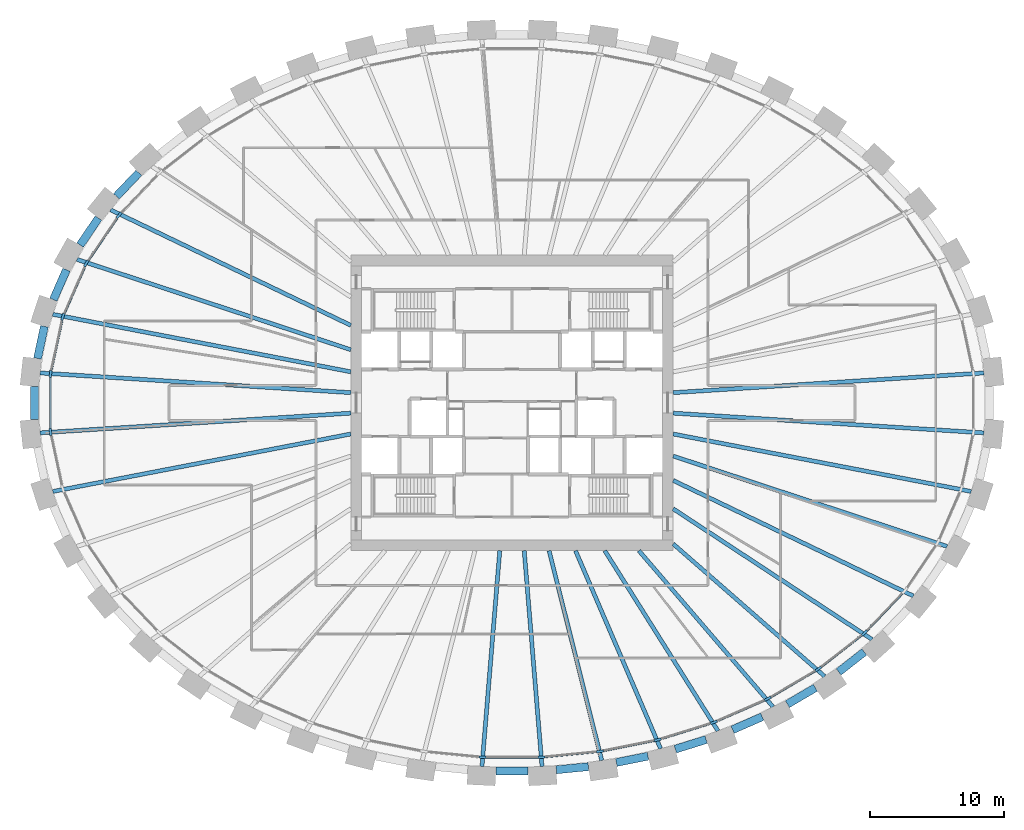
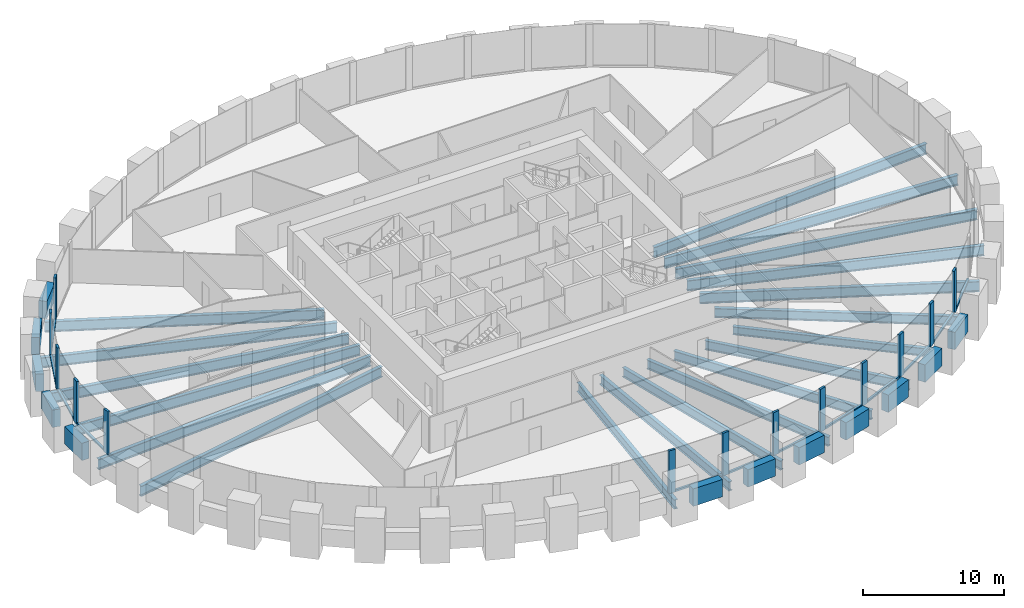
# One storey, part 2 of 11: 31 beams, 25 members, 1 element without a shape of its own.
"""IFC4 building model written with IfcOpenShell, lengths in metres."""

from ifc_helpers import new_model, si_unit, direction, frame, origin, origin_2d, place, context, subcontext, project, spatial, rectangle, i_section, extrude, source, transform, mapped, material, material_profile, profile_set, type_object, element, aggregate, save


model = new_model("IFC4")

# Units and contexts
model_context = context("Model", 3, precision=1e-05, world=origin(), true_north=direction((0.0, 1.0)))
body_context = subcontext(model_context, "Body", "Model", "MODEL_VIEW")
ifc_project = project(units=[si_unit("LENGTHUNIT", "METRE"), si_unit("AREAUNIT", "SQUARE_METRE"), si_unit("VOLUMEUNIT", "CUBIC_METRE"), si_unit("PLANEANGLEUNIT", "RADIAN"), si_unit("MASSUNIT", "GRAM", prefix="KILO")], contexts=[model_context])

# Site, building, storey
site_placement = place(None, origin())
site = spatial("IfcSite", under=ifc_project, at=site_placement, CompositionType="ELEMENT")
building_placement = place(site_placement, origin())
building = spatial("IfcBuilding", under=site, at=building_placement, Name="Embergate Tower", CompositionType="ELEMENT")
storey_placement = place(building_placement, frame((0.0, 0.0, 207.300048828125)))
storey = spatial("IfcBuildingStorey", under=building, at=storey_placement, Name="L47", CompositionType="ELEMENT", Elevation=207.300048828125)

# Beams
ifc_material_1 = material(Name="Concrete C60", Category="concrete")
ifc_material_profile_1 = material_profile(ifc_material_1, rectangle(XDim=0.60009765625, YDim=1.5, at=origin_2d()), Name="RC 600x1500")
ifc_profile_set_1 = profile_set([ifc_material_profile_1], Name="Concrete C60")
beam_type_1 = type_object("IfcBeamType", Name="Spandrel beam RC 600x1500 C60", PredefinedType="BEAM", material=ifc_profile_set_1)
shared_shape_1 = source(origin(), body_context, "Body", "SweptSolid", [
    extrude(rectangle(XDim=0.60009765625, YDim=1.5, at=origin_2d()), origin(), (0.0, 0.0, 1.0), 2.438720703125),
])
beam_1_placement = place(storey_placement, frame((-34.806884765625, 5.693115234375, 0.0), z_axis=(-0.210438320614, -0.977607136439, 0.0), x_axis=(0.977607136439, -0.210438320614, 0.0)))
element("IfcBeam", 1, at=beam_1_placement, inside=storey, type_object=beam_type_1, Name="SPN-L47-20", PredefinedType="BEAM", context=body_context, shape_type="MappedRepresentation", body=[
    mapped(shared_shape_1, transform((0.0, 0.0, 0.0))),
])
shared_shape_2 = source(origin(), body_context, "Body", "SweptSolid", [
    extrude(rectangle(XDim=0.60009765625, YDim=1.5, at=origin_2d()), origin(), (0.0, 0.0, 1.0), 2.431884765625),
])
beam_2_placement = place(storey_placement, frame((-33.1650390625, 9.912109375, 0.0), z_axis=(-0.401756025311, -0.915746742351, 0.0), x_axis=(0.915746742351, -0.401756025311, 0.0)))
element("IfcBeam", 2, at=beam_2_placement, inside=storey, type_object=beam_type_1, Name="SPN-L47-19", PredefinedType="BEAM", context=body_context, shape_type="MappedRepresentation", body=[
    mapped(shared_shape_2, transform((0.0, 0.0, 0.0))),
])
shared_shape_3 = source(origin(), body_context, "Body", "SweptSolid", [
    extrude(rectangle(XDim=0.60009765625, YDim=1.5, at=origin_2d()), origin(), (0.0, 0.0, 1.0), 2.42724609375),
])
beam_3_placement = place(storey_placement, frame((-30.783935546875, 13.756103515625, 0.0), z_axis=(-0.562359541569, -0.826892826191, 0.0), x_axis=(0.826892826191, -0.562359541569, 0.0)))
element("IfcBeam", 3, at=beam_3_placement, inside=storey, type_object=beam_type_1, Name="SPN-L47-18", PredefinedType="BEAM", context=body_context, shape_type="MappedRepresentation", body=[
    mapped(shared_shape_3, transform((0.0, 0.0, 0.0))),
])
shared_shape_4 = source(origin(), body_context, "Body", "SweptSolid", [
    extrude(rectangle(XDim=0.60009765625, YDim=1.5, at=origin_2d()), origin(), (0.0, 0.0, 1.0), 2.419677734375),
])
beam_4_placement = place(storey_placement, frame((-27.779052734375, 17.1279296875, 0.0), z_axis=(-0.69015890768, -0.723657848813, 0.0), x_axis=(0.723657848813, -0.69015890768, 0.0)))
element("IfcBeam", 4, at=beam_4_placement, inside=storey, type_object=beam_type_1, Name="SPN-L47-17", PredefinedType="BEAM", context=body_context, shape_type="MappedRepresentation", body=[
    mapped(shared_shape_4, transform((0.0, 0.0, 0.0))),
])
shared_shape_5 = source(origin(), body_context, "Body", "SweptSolid", [
    extrude(rectangle(XDim=0.60009765625, YDim=1.5, at=origin_2d()), origin(), (0.0, 0.0, 1.0), 2.4150390625),
])
beam_5_placement = place(storey_placement, frame((24.319091796875, -20.02392578125, 0.0), z_axis=(0.788327742651, 0.615255532415, 0.0), x_axis=(-0.615255532415, 0.788327742651, 0.0)))
element("IfcBeam", 5, at=beam_5_placement, inside=storey, type_object=beam_type_1, Name="SPN-L47-38", PredefinedType="BEAM", context=body_context, shape_type="MappedRepresentation", body=[
    mapped(shared_shape_5, transform((0.0, 0.0, 0.0))),
])
shared_shape_6 = source(origin(), body_context, "Body", "SweptSolid", [
    extrude(rectangle(XDim=0.60009765625, YDim=1.5, at=origin_2d()), origin(), (0.0, 0.0, 1.0), 2.41015625),
])
beam_6_placement = place(storey_placement, frame((20.50390625, -22.426025390625, 0.0), z_axis=(0.862202298523, 0.506564108895, 0.0), x_axis=(-0.506564108895, 0.862202298523, 0.0)))
element("IfcBeam", 6, at=beam_6_placement, inside=storey, type_object=beam_type_1, Name="SPN-L47-37", PredefinedType="BEAM", context=body_context, shape_type="MappedRepresentation", body=[
    mapped(shared_shape_6, transform((0.0, 0.0, 0.0))),
])
shared_shape_7 = source(origin(), body_context, "Body", "SweptSolid", [
    extrude(rectangle(XDim=0.60009765625, YDim=1.5, at=origin_2d()), origin(), (0.0, 0.0, 1.0), 2.407470703125),
])
beam_7_placement = place(storey_placement, frame((16.4189453125, -24.326904296875, 0.0), z_axis=(0.916352733651, 0.400371911515, 0.0), x_axis=(-0.400371911515, 0.916352733651, 0.0)))
element("IfcBeam", 7, at=beam_7_placement, inside=storey, type_object=beam_type_1, Name="SPN-L47-36", PredefinedType="BEAM", context=body_context, shape_type="MappedRepresentation", body=[
    mapped(shared_shape_7, transform((0.0, 0.0, 0.0))),
])
shared_shape_8 = source(origin(), body_context, "Body", "SweptSolid", [
    extrude(rectangle(XDim=0.60009765625, YDim=1.5, at=origin_2d()), origin(), (0.0, 0.0, 1.0), 2.404541015625),
])
beam_8_placement = place(storey_placement, frame((12.156005859375, -25.77587890625, 0.0), z_axis=(0.954790193156, 0.297280485491, 0.0), x_axis=(-0.297280485491, 0.954790193156, 0.0)))
element("IfcBeam", 8, at=beam_8_placement, inside=storey, type_object=beam_type_1, Name="SPN-L47-35", PredefinedType="BEAM", context=body_context, shape_type="MappedRepresentation", body=[
    mapped(shared_shape_8, transform((0.0, 0.0, 0.0))),
])
shared_shape_9 = source(origin(), body_context, "Body", "SweptSolid", [
    extrude(rectangle(XDim=0.60009765625, YDim=1.5, at=origin_2d()), origin(), (0.0, 0.0, 1.0), 2.40185546875),
])
for number, where, z_axis, x_axis, name in (
    (9, (-1.200927734375, -27.416015625, 0.0), (1.0, 0.0, 0.0), (0.0, 1.0, 0.0), "SPN-L47-32"),
    (10, (7.76611328125, -26.76806640625, 0.0), (0.980486735487, 0.196585252585, 0.0), (-0.196585252585, 0.980486735487, 0.0), "SPN-L47-34"),
):
    element("IfcBeam", number, at=place(storey_placement, frame(where, z_axis=z_axis, x_axis=x_axis)), inside=storey, type_object=beam_type_1, Name=name, PredefinedType="BEAM", context=body_context, shape_type="MappedRepresentation", body=[
        mapped(shared_shape_9, transform((0.0, 0.0, 0.0))),
    ])
shared_shape_10 = source(origin(), body_context, "Body", "SweptSolid", [
    extrude(rectangle(XDim=0.60009765625, YDim=1.5, at=origin_2d()), origin(), (0.0, 0.0, 1.0), 2.4013671875),
])
beam_9_placement = place(storey_placement, frame((3.299072265625, -27.31298828125, 0.0), z_axis=(0.995195949519, 0.097903125895, 0.0), x_axis=(-0.097903125895, 0.995195949519, 0.0)))
element("IfcBeam", 11, at=beam_9_placement, inside=storey, type_object=beam_type_1, Name="SPN-L47-33", PredefinedType="BEAM", context=body_context, shape_type="MappedRepresentation", body=[
    mapped(shared_shape_10, transform((0.0, 0.0, 0.0))),
])
shared_shape_11 = source(origin(), body_context, "Body", "SweptSolid", [
    extrude(rectangle(XDim=0.60009765625, YDim=1.5, at=origin_2d()), origin(), (0.0, 0.0, 1.0), 2.43994140625),
])
beam_10_placement = place(storey_placement, frame((-35.5419921875, 1.219970703125, 0.0), z_axis=(0.0, -1.0, 0.0), x_axis=(1.0, 0.0, 0.0)))
element("IfcBeam", 12, at=beam_10_placement, inside=storey, type_object=beam_type_1, Name="SPN-L47-21", PredefinedType="BEAM", context=body_context, shape_type="MappedRepresentation", body=[
    mapped(shared_shape_11, transform((0.0, 0.0, 0.0))),
])
ifc_material_2 = material(Name="Steel Q355B", Category="steel")
ifc_material_profile_2 = material_profile(ifc_material_2, i_section(OverallWidth=0.300048828125, OverallDepth=0.89990234375, WebThickness=0.01611328125, FlangeThickness=0.028076171875, FilletRadius=0.028076171875, at=origin_2d()), Name="HN 900x300x16x28")
ifc_profile_set_2 = profile_set([ifc_material_profile_2], Name="Steel Q355 grade B")
beam_type_2 = type_object("IfcBeamType", Name="Radial girder HN 900x300x16x28", PredefinedType="BEAM", material=ifc_profile_set_2)
shared_shape_12 = source(origin(), body_context, "Body", "SweptSolid", [
    extrude(i_section(OverallWidth=0.300048828125, OverallDepth=0.89990234375, WebThickness=0.01611328125, FlangeThickness=0.028076171875, FilletRadius=0.028076171875, at=origin_2d()), origin(), (0.0, 0.0, 1.0), 23.168701171875),
])
for number, where, z_axis, x_axis, name in (
    (13, (35.1220703125, 2.23095703125, -0.650146484375), (-0.997987923886, -0.063404288318, 0.0), (0.063404288318, -0.997987923886, 0.0), "GIR-L47-00"),
    (14, (-35.1220703125, 2.23095703125, -0.650146484375), (0.997987923886, -0.063404288318, 0.0), (0.063404288318, 0.997987923886, 0.0), "GIR-L47-21"),
    (15, (-35.1220703125, -2.23095703125, -0.650146484375), (0.997987923886, 0.063404288318, 0.0), (-0.063404288318, 0.997987923886, 0.0), "GIR-L47-22"),
    (16, (35.1220703125, -2.23095703125, -0.650146484375), (-0.997987923886, 0.063404288318, 0.0), (-0.063404288318, -0.997987923886, 0.0), "GIR-L47-43"),
):
    element("IfcBeam", number, at=place(storey_placement, frame(where, z_axis=z_axis, x_axis=x_axis)), inside=storey, type_object=beam_type_2, Name=name, PredefinedType="BEAM", context=body_context, shape_type="MappedRepresentation", body=[
        mapped(shared_shape_12, transform((0.0, 0.0, 0.0))),
    ])
shared_shape_13 = source(origin(), body_context, "Body", "SweptSolid", [
    extrude(i_section(OverallWidth=0.300048828125, OverallDepth=0.89990234375, WebThickness=0.01611328125, FlangeThickness=0.028076171875, FilletRadius=0.028076171875, at=origin_2d()), origin(), (0.0, 0.0, 1.0), 22.592041015625),
])
for number, where, z_axis, x_axis, name in (
    (17, (-34.18310546875, 6.593994140625, -0.650146484375), (0.98189899441, -0.189405292367, 0.0), (0.189405292367, 0.98189899441, 0.0), "GIR-L47-20"),
    (18, (-34.18310546875, -6.593994140625, -0.650146484375), (0.98189899441, 0.189405292367, 0.0), (-0.189405292367, 0.98189899441, 0.0), "GIR-L47-23"),
    (19, (34.18310546875, -6.593994140625, -0.650146484375), (-0.98189899441, 0.189405292367, 0.0), (-0.189405292367, -0.98189899441, 0.0), "GIR-L47-42"),
):
    element("IfcBeam", number, at=place(storey_placement, frame(where, z_axis=z_axis, x_axis=x_axis)), inside=storey, type_object=beam_type_2, Name=name, PredefinedType="BEAM", context=body_context, shape_type="MappedRepresentation", body=[
        mapped(shared_shape_13, transform((0.0, 0.0, 0.0))),
    ])
shared_shape_14 = source(origin(), body_context, "Body", "SweptSolid", [
    extrude(i_section(OverallWidth=0.300048828125, OverallDepth=0.89990234375, WebThickness=0.01611328125, FlangeThickness=0.028076171875, FilletRadius=0.028076171875, at=origin_2d()), origin(), (0.0, 0.0, 1.0), 21.47119140625),
])
for number, where, z_axis, x_axis, name in (
    (20, (-32.39111328125, 10.681884765625, -0.650146484375), (0.949700564112, -0.313159445849, 0.0), (0.313159445849, 0.949700564112, 0.0), "GIR-L47-19"),
    (21, (32.39111328125, -10.681884765625, -0.650146484375), (-0.949700564112, 0.313159445849, 0.0), (-0.313159445849, -0.949700564112, 0.0), "GIR-L47-41"),
):
    element("IfcBeam", number, at=place(storey_placement, frame(where, z_axis=z_axis, x_axis=x_axis)), inside=storey, type_object=beam_type_2, Name=name, PredefinedType="BEAM", context=body_context, shape_type="MappedRepresentation", body=[
        mapped(shared_shape_14, transform((0.0, 0.0, 0.0))),
    ])
shared_shape_15 = source(origin(), body_context, "Body", "SweptSolid", [
    extrude(i_section(OverallWidth=0.300048828125, OverallDepth=0.89990234375, WebThickness=0.01611328125, FlangeThickness=0.028076171875, FilletRadius=0.028076171875, at=origin_2d()), origin(), (0.0, 0.0, 1.0), 19.841064453125),
])
for number, where, z_axis, x_axis, name in (
    (22, (-29.8798828125, 14.3740234375, -0.650146484375), (0.901154450988, -0.433498160854, 0.0), (0.433498160854, 0.901154450988, 0.0), "GIR-L47-18"),
    (23, (29.8798828125, -14.3740234375, -0.650146484375), (-0.901154450988, 0.433498160854, 0.0), (-0.433498160854, -0.901154450988, 0.0), "GIR-L47-40"),
):
    element("IfcBeam", number, at=place(storey_placement, frame(where, z_axis=z_axis, x_axis=x_axis)), inside=storey, type_object=beam_type_2, Name=name, PredefinedType="BEAM", context=body_context, shape_type="MappedRepresentation", body=[
        mapped(shared_shape_15, transform((0.0, 0.0, 0.0))),
    ])
ifc_material_profile_3 = material_profile(ifc_material_2, i_section(OverallWidth=0.300048828125, OverallDepth=0.800048828125, WebThickness=0.013916015625, FlangeThickness=0.02587890625, FilletRadius=0.028076171875, at=origin_2d()), Name="HN 800x300x14x26")
ifc_profile_set_3 = profile_set([ifc_material_profile_3], Name="Steel Q355 grade B")
beam_type_3 = type_object("IfcBeamType", Name="Radial girder HN 800x300x14x26", PredefinedType="BEAM", material=ifc_profile_set_3)
shared_shape_16 = source(origin(), body_context, "Body", "SweptSolid", [
    extrude(i_section(OverallWidth=0.300048828125, OverallDepth=0.800048828125, WebThickness=0.013916015625, FlangeThickness=0.02587890625, FilletRadius=0.028076171875, at=origin_2d()), origin(), (0.0, 0.0, 1.0), 17.70654296875),
])
beam_11_placement = place(storey_placement, frame((26.798095703125, -17.60693359375, -0.60009765625), z_axis=(-0.835745977406, 0.549116254767, 0.0), x_axis=(-0.549116254767, -0.835745977406, 0.0)))
element("IfcBeam", 24, at=beam_11_placement, inside=storey, type_object=beam_type_3, Name="GIR-L47-39", PredefinedType="BEAM", context=body_context, shape_type="MappedRepresentation", body=[
    mapped(shared_shape_16, transform((0.0, 0.0, 0.0))),
])
ifc_material_profile_4 = material_profile(ifc_material_2, i_section(OverallWidth=0.300048828125, OverallDepth=0.699951171875, WebThickness=0.012939453125, FlangeThickness=0.02392578125, FilletRadius=0.01806640625, at=origin_2d()), Name="HN 700x300x13x24")
ifc_profile_set_4 = profile_set([ifc_material_profile_4], Name="Steel Q355 grade B")
beam_type_4 = type_object("IfcBeamType", Name="Radial girder HN 700x300x13x24", PredefinedType="BEAM", material=ifc_profile_set_4)
shared_shape_17 = source(origin(), body_context, "Body", "SweptSolid", [
    extrude(i_section(OverallWidth=0.300048828125, OverallDepth=0.699951171875, WebThickness=0.012939453125, FlangeThickness=0.02392578125, FilletRadius=0.01806640625, at=origin_2d()), origin(), (0.0, 0.0, 1.0), 14.9794921875),
])
beam_12_placement = place(storey_placement, frame((23.27587890625, -20.35595703125, -0.550048828125), z_axis=(-0.752760419663, 0.658294577365, 0.0), x_axis=(-0.658294577365, -0.752760419663, 0.0)))
element("IfcBeam", 25, at=beam_12_placement, inside=storey, type_object=beam_type_4, Name="GIR-L47-38", PredefinedType="BEAM", context=body_context, shape_type="MappedRepresentation", body=[
    mapped(shared_shape_17, transform((0.0, 0.0, 0.0))),
])
shared_shape_18 = source(origin(), body_context, "Body", "SweptSolid", [
    extrude(i_section(OverallWidth=0.300048828125, OverallDepth=0.800048828125, WebThickness=0.013916015625, FlangeThickness=0.02587890625, FilletRadius=0.028076171875, at=origin_2d()), origin(), (0.0, 0.0, 1.0), 15.31689453125),
])
beam_13_placement = place(storey_placement, frame((19.425048828125, -22.6201171875, -0.60009765625), z_axis=(-0.651502542644, 0.758646450548, 0.0), x_axis=(-0.758646450548, -0.651502542644, 0.0)))
element("IfcBeam", 26, at=beam_13_placement, inside=storey, type_object=beam_type_3, Name="GIR-L47-37", PredefinedType="BEAM", context=body_context, shape_type="MappedRepresentation", body=[
    mapped(shared_shape_18, transform((0.0, 0.0, 0.0))),
])
shared_shape_19 = source(origin(), body_context, "Body", "SweptSolid", [
    extrude(i_section(OverallWidth=0.300048828125, OverallDepth=0.800048828125, WebThickness=0.013916015625, FlangeThickness=0.02587890625, FilletRadius=0.028076171875, at=origin_2d()), origin(), (0.0, 0.0, 1.0), 15.836181640625),
])
beam_14_placement = place(storey_placement, frame((15.330078125, -24.410888671875, -0.60009765625), z_axis=(-0.531828302788, 0.846852204552, 0.0), x_axis=(-0.846852204552, -0.531828302788, 0.0)))
element("IfcBeam", 27, at=beam_14_placement, inside=storey, type_object=beam_type_3, Name="GIR-L47-36", PredefinedType="BEAM", context=body_context, shape_type="MappedRepresentation", body=[
    mapped(shared_shape_19, transform((0.0, 0.0, 0.0))),
])
shared_shape_20 = source(origin(), body_context, "Body", "SweptSolid", [
    extrude(i_section(OverallWidth=0.300048828125, OverallDepth=0.800048828125, WebThickness=0.013916015625, FlangeThickness=0.02587890625, FilletRadius=0.028076171875, at=origin_2d()), origin(), (0.0, 0.0, 1.0), 16.043701171875),
])
beam_15_placement = place(storey_placement, frame((11.06298828125, -25.739990234375, -0.60009765625), z_axis=(-0.394857578675, 0.918742342859, 0.0), x_axis=(-0.918742342859, -0.394857578675, 0.0)))
element("IfcBeam", 28, at=beam_15_placement, inside=storey, type_object=beam_type_3, Name="GIR-L47-35", PredefinedType="BEAM", context=body_context, shape_type="MappedRepresentation", body=[
    mapped(shared_shape_20, transform((0.0, 0.0, 0.0))),
])
shared_shape_21 = source(origin(), body_context, "Body", "SweptSolid", [
    extrude(i_section(OverallWidth=0.300048828125, OverallDepth=0.800048828125, WebThickness=0.013916015625, FlangeThickness=0.02587890625, FilletRadius=0.028076171875, at=origin_2d()), origin(), (0.0, 0.0, 1.0), 16.103515625),
])
beam_16_placement = place(storey_placement, frame((6.681884765625, -26.618896484375, -0.60009765625), z_axis=(-0.243480824062, 0.969905711043, 0.0), x_axis=(-0.969905711043, -0.243480824062, 0.0)))
element("IfcBeam", 29, at=beam_16_placement, inside=storey, type_object=beam_type_3, Name="GIR-L47-34", PredefinedType="BEAM", context=body_context, shape_type="MappedRepresentation", body=[
    mapped(shared_shape_21, transform((0.0, 0.0, 0.0))),
])
shared_shape_22 = source(origin(), body_context, "Body", "SweptSolid", [
    extrude(i_section(OverallWidth=0.300048828125, OverallDepth=0.800048828125, WebThickness=0.013916015625, FlangeThickness=0.02587890625, FilletRadius=0.028076171875, at=origin_2d()), origin(), (0.0, 0.0, 1.0), 16.110595703125),
])
for number, where, z_axis, x_axis, name in (
    (30, (-2.235107421875, -27.055908203125, -0.60009765625), (0.082316809043, 0.996606212578, 0.0), (-0.996606212578, 0.082316809043, 0.0), "GIR-L47-32"),
    (31, (2.235107421875, -27.055908203125, -0.60009765625), (-0.082316809043, 0.996606212578, 0.0), (-0.996606212578, -0.082316809043, 0.0), "GIR-L47-33"),
):
    element("IfcBeam", number, at=place(storey_placement, frame(where, z_axis=z_axis, x_axis=x_axis)), inside=storey, type_object=beam_type_3, Name=name, PredefinedType="BEAM", context=body_context, shape_type="MappedRepresentation", body=[
        mapped(shared_shape_22, transform((0.0, 0.0, 0.0))),
    ])

# Curtain wall, members
ifc_material_3 = material(Name="Aluminium and glass", Category="aluminium")
curtain_wall_type = type_object("IfcCurtainWallType", Name="Recessed office glazing", PredefinedType="NOTDEFINED", material=ifc_material_3)
curtain_wall_placement = place(storey_placement, origin())
curtain_wall = element("IfcCurtainWall", 32, at=curtain_wall_placement, inside=storey, type_object=curtain_wall_type, Name="Recessed office glazing ring", ObjectType="RECESSED OFFICE GLAZING", PredefinedType="USERDEFINED")
ifc_material_4 = material(Name="Aluminium, thermally broken", Category="aluminium")
ifc_material_profile_5 = material_profile(ifc_material_4, rectangle(XDim=0.179931640625, YDim=0.52001953125, at=origin_2d()), Name="AL 520x180")
ifc_profile_set_5 = profile_set([ifc_material_profile_5], Name="Aluminium, thermally broken")
member_type_1 = type_object("IfcMemberType", Name="Office mullion", PredefinedType="MULLION", material=ifc_profile_set_5)
shared_shape_23 = source(origin(), body_context, "Body", "SweptSolid", [
    extrude(rectangle(XDim=0.179931640625, YDim=0.52001953125, at=origin_2d()), origin(), (0.0, 0.0, 1.0), 3.699951171875),
])
member_1_placement = place(storey_placement, frame((-29.25244140625, 13.972412109375, 0.0), z_axis=(0.0, 0.0, 1.0), x_axis=(0.777874757957, -0.628419335264, 0.0)))
member_1 = element("IfcMember", 33, at=member_1_placement, type_object=member_type_1, Name="CW mullion 19", PredefinedType="MULLION", context=body_context, shape_type="MappedRepresentation", body=[
    mapped(shared_shape_23, transform((0.0, 0.0, 0.0))),
])
member_2_placement = place(storey_placement, frame((-31.697998046875, 10.376220703125, 0.0), z_axis=(0.0, 0.0, 1.0), x_axis=(0.875002740779, -0.484117964581, 0.0)))
member_2 = element("IfcMember", 34, at=member_2_placement, type_object=member_type_1, Name="CW mullion 20", PredefinedType="MULLION", context=body_context, shape_type="MappedRepresentation", body=[
    mapped(shared_shape_23, transform((0.0, 0.0, 0.0))),
])
member_3_placement = place(storey_placement, frame((-33.44140625, 6.401611328125, 0.0), z_axis=(0.0, 0.0, 1.0), x_axis=(0.951497797992, -0.307655554826, 0.0)))
member_3 = element("IfcMember", 35, at=member_3_placement, type_object=member_type_1, Name="CW mullion 21", PredefinedType="MULLION", context=body_context, shape_type="MappedRepresentation", body=[
    mapped(shared_shape_23, transform((0.0, 0.0, 0.0))),
])
member_4_placement = place(storey_placement, frame((-34.35302734375, 2.165283203125, 0.0), z_axis=(0.0, 0.0, 1.0), x_axis=(0.994384954736, -0.105823257345, 0.0)))
member_4 = element("IfcMember", 36, at=member_4_placement, type_object=member_type_1, Name="CW mullion 22", PredefinedType="MULLION", context=body_context, shape_type="MappedRepresentation", body=[
    mapped(shared_shape_23, transform((0.0, 0.0, 0.0))),
])
member_5_placement = place(storey_placement, frame((-34.35302734375, -2.165283203125, 0.0), z_axis=(0.0, 0.0, 1.0), x_axis=(0.994384954736, 0.105823257345, 0.0)))
member_5 = element("IfcMember", 37, at=member_5_placement, type_object=member_type_1, Name="CW mullion 23", PredefinedType="MULLION", context=body_context, shape_type="MappedRepresentation", body=[
    mapped(shared_shape_23, transform((0.0, 0.0, 0.0))),
])
member_6_placement = place(storey_placement, frame((-2.191162109375, -26.37158203125, 0.0), z_axis=(0.0, 0.0, 1.0), x_axis=(0.048971796621, 0.998800161762, 0.0)))
member_6 = element("IfcMember", 38, at=member_6_placement, type_object=member_type_1, Name="CW mullion 33", PredefinedType="MULLION", context=body_context, shape_type="MappedRepresentation", body=[
    mapped(shared_shape_23, transform((0.0, 0.0, 0.0))),
])
member_7_placement = place(storey_placement, frame((2.191162109375, -26.37158203125, 0.0), z_axis=(0.0, 0.0, 1.0), x_axis=(-0.048971796621, 0.998800161762, 0.0)))
member_7 = element("IfcMember", 39, at=member_7_placement, type_object=member_type_1, Name="CW mullion 34", PredefinedType="MULLION", context=body_context, shape_type="MappedRepresentation", body=[
    mapped(shared_shape_23, transform((0.0, 0.0, 0.0))),
])
member_8_placement = place(storey_placement, frame((6.55224609375, -25.94287109375, 0.0), z_axis=(0.0, 0.0, 1.0), x_axis=(-0.14741410908, 0.98907486089, 0.0)))
member_8 = element("IfcMember", 40, at=member_8_placement, type_object=member_type_1, Name="CW mullion 35", PredefinedType="MULLION", context=body_context, shape_type="MappedRepresentation", body=[
    mapped(shared_shape_23, transform((0.0, 0.0, 0.0))),
])
member_9_placement = place(storey_placement, frame((10.847412109375, -25.081298828125, 0.0), z_axis=(0.0, 0.0, 1.0), x_axis=(-0.247315263593, 0.968935065107, 0.0)))
member_9 = element("IfcMember", 41, at=member_9_placement, type_object=member_type_1, Name="CW mullion 36", PredefinedType="MULLION", context=body_context, shape_type="MappedRepresentation", body=[
    mapped(shared_shape_23, transform((0.0, 0.0, 0.0))),
])
member_10_placement = place(storey_placement, frame((15.02783203125, -23.779296875, 0.0), z_axis=(0.0, 0.0, 1.0), x_axis=(-0.34950595337, 0.936934143128, 0.0)))
member_10 = element("IfcMember", 42, at=member_10_placement, type_object=member_type_1, Name="CW mullion 37", PredefinedType="MULLION", context=body_context, shape_type="MappedRepresentation", body=[
    mapped(shared_shape_23, transform((0.0, 0.0, 0.0))),
])
member_11_placement = place(storey_placement, frame((19.03662109375, -22.026611328125, 0.0), z_axis=(0.0, 0.0, 1.0), x_axis=(-0.454514489796, 0.890739343784, 0.0)))
member_11 = element("IfcMember", 43, at=member_11_placement, type_object=member_type_1, Name="CW mullion 38", PredefinedType="MULLION", context=body_context, shape_type="MappedRepresentation", body=[
    mapped(shared_shape_23, transform((0.0, 0.0, 0.0))),
])
member_12_placement = place(storey_placement, frame((22.804443359375, -19.811279296875, 0.0), z_axis=(0.0, 0.0, 1.0), x_axis=(-0.562220505278, 0.826987365953, 0.0)))
member_12 = element("IfcMember", 44, at=member_12_placement, type_object=member_type_1, Name="CW mullion 39", PredefinedType="MULLION", context=body_context, shape_type="MappedRepresentation", body=[
    mapped(shared_shape_23, transform((0.0, 0.0, 0.0))),
])
member_13_placement = place(storey_placement, frame((26.245361328125, -17.125732421875, 0.0), z_axis=(0.0, 0.0, 1.0), x_axis=(-0.671230415135, 0.741248763775, 0.0)))
member_13 = element("IfcMember", 45, at=member_13_placement, type_object=member_type_1, Name="CW mullion 40", PredefinedType="MULLION", context=body_context, shape_type="MappedRepresentation", body=[
    mapped(shared_shape_23, transform((0.0, 0.0, 0.0))),
])
ifc_material_profile_6 = material_profile(ifc_material_4, rectangle(XDim=0.179931640625, YDim=0.14990234375, at=origin_2d()), Name="AL 150x180")
ifc_profile_set_6 = profile_set([ifc_material_profile_6], Name="Aluminium, thermally broken")
member_type_2 = type_object("IfcMemberType", Name="Office sill transom", PredefinedType="USERDEFINED", material=ifc_profile_set_6)
shared_shape_24 = source(origin(), body_context, "Body", "SweptSolid", [
    extrude(rectangle(XDim=0.179931640625, YDim=0.14990234375, at=origin_2d()), origin(), (0.0, 0.0, 1.0), 3.8134765625),
])
member_14_placement = place(storey_placement, frame((-33.49609375, 6.1474609375, 0.074951171875), z_axis=(-0.210377227089, -0.977620285347, 0.0), x_axis=(0.977620285347, -0.210377227089, 0.0)))
member_14 = element("IfcMember", 46, at=member_14_placement, type_object=member_type_2, Name="CW transom 21.1", ObjectType="TRANSOM", PredefinedType="USERDEFINED", context=body_context, shape_type="MappedRepresentation", body=[
    mapped(shared_shape_24, transform((0.0, 0.0, 0.0))),
])
shared_shape_25 = source(origin(), body_context, "Body", "SweptSolid", [
    extrude(rectangle(XDim=0.179931640625, YDim=0.14990234375, at=origin_2d()), origin(), (0.0, 0.0, 1.0), 3.8203125),
])
member_15_placement = place(storey_placement, frame((-31.802490234375, 10.13818359375, 0.074951171875), z_axis=(-0.401656793595, -0.915790270837, 0.0), x_axis=(0.915790270837, -0.401656793595, 0.0)))
member_15 = element("IfcMember", 47, at=member_15_placement, type_object=member_type_2, Name="CW transom 20.1", ObjectType="TRANSOM", PredefinedType="USERDEFINED", context=body_context, shape_type="MappedRepresentation", body=[
    mapped(shared_shape_25, transform((0.0, 0.0, 0.0))),
])
shared_shape_26 = source(origin(), body_context, "Body", "SweptSolid", [
    extrude(rectangle(XDim=0.179931640625, YDim=0.14990234375, at=origin_2d()), origin(), (0.0, 0.0, 1.0), 3.828857421875),
])
member_16_placement = place(storey_placement, frame((-29.398681640625, 13.75732421875, 0.074951171875), z_axis=(-0.56238675743, -0.826874316367, 0.0), x_axis=(0.826874316367, -0.56238675743, 0.0)))
member_16 = element("IfcMember", 48, at=member_16_placement, type_object=member_type_2, Name="CW transom 19.1", ObjectType="TRANSOM", PredefinedType="USERDEFINED", context=body_context, shape_type="MappedRepresentation", body=[
    mapped(shared_shape_26, transform((0.0, 0.0, 0.0))),
])
shared_shape_27 = source(origin(), body_context, "Body", "SweptSolid", [
    extrude(rectangle(XDim=0.179931640625, YDim=0.14990234375, at=origin_2d()), origin(), (0.0, 0.0, 1.0), 3.83740234375),
])
member_17_placement = place(storey_placement, frame((26.4248046875, -16.9375, 0.074951171875), z_axis=(0.690110982846, 0.723703552123, 0.0), x_axis=(-0.723703552123, 0.690110982846, 0.0)))
member_17 = element("IfcMember", 49, at=member_17_placement, type_object=member_type_2, Name="CW transom 40.1", ObjectType="TRANSOM", PredefinedType="USERDEFINED", context=body_context, shape_type="MappedRepresentation", body=[
    mapped(shared_shape_27, transform((0.0, 0.0, 0.0))),
])
shared_shape_28 = source(origin(), body_context, "Body", "SweptSolid", [
    extrude(rectangle(XDim=0.179931640625, YDim=0.14990234375, at=origin_2d()), origin(), (0.0, 0.0, 1.0), 3.8447265625),
])
member_18_placement = place(storey_placement, frame((23.009521484375, -19.6513671875, 0.074951171875), z_axis=(0.788284232177, 0.615311278379, 0.0), x_axis=(-0.615311278379, 0.788284232177, 0.0)))
member_18 = element("IfcMember", 50, at=member_18_placement, type_object=member_type_2, Name="CW transom 39.1", ObjectType="TRANSOM", PredefinedType="USERDEFINED", context=body_context, shape_type="MappedRepresentation", body=[
    mapped(shared_shape_28, transform((0.0, 0.0, 0.0))),
])
shared_shape_29 = source(origin(), body_context, "Body", "SweptSolid", [
    extrude(rectangle(XDim=0.179931640625, YDim=0.14990234375, at=origin_2d()), origin(), (0.0, 0.0, 1.0), 3.850830078125),
])
member_19_placement = place(storey_placement, frame((19.2607421875, -21.894775390625, 0.074951171875), z_axis=(0.862051539353, 0.506820622607, 0.0), x_axis=(-0.506820622607, 0.862051539353, 0.0)))
member_19 = element("IfcMember", 51, at=member_19_placement, type_object=member_type_2, Name="CW transom 38.1", ObjectType="TRANSOM", PredefinedType="USERDEFINED", context=body_context, shape_type="MappedRepresentation", body=[
    mapped(shared_shape_29, transform((0.0, 0.0, 0.0))),
])
shared_shape_30 = source(origin(), body_context, "Body", "SweptSolid", [
    extrude(rectangle(XDim=0.179931640625, YDim=0.14990234375, at=origin_2d()), origin(), (0.0, 0.0, 1.0), 3.855224609375),
])
member_20_placement = place(storey_placement, frame((15.26611328125, -23.67529296875, 0.074951171875), z_axis=(0.916221273565, 0.400672656749, 0.0), x_axis=(-0.400672656749, 0.916221273565, 0.0)))
member_20 = element("IfcMember", 52, at=member_20_placement, type_object=member_type_2, Name="CW transom 37.1", ObjectType="TRANSOM", PredefinedType="USERDEFINED", context=body_context, shape_type="MappedRepresentation", body=[
    mapped(shared_shape_30, transform((0.0, 0.0, 0.0))),
])
shared_shape_31 = source(origin(), body_context, "Body", "SweptSolid", [
    extrude(rectangle(XDim=0.179931640625, YDim=0.14990234375, at=origin_2d()), origin(), (0.0, 0.0, 1.0), 3.8583984375),
])
member_21_placement = place(storey_placement, frame((11.095703125, -25.004150390625, 0.074951171875), z_axis=(0.954755412544, 0.297392169061, 0.0), x_axis=(-0.297392169061, 0.954755412544, 0.0)))
member_21 = element("IfcMember", 53, at=member_21_placement, type_object=member_type_2, Name="CW transom 36.1", ObjectType="TRANSOM", PredefinedType="USERDEFINED", context=body_context, shape_type="MappedRepresentation", body=[
    mapped(shared_shape_31, transform((0.0, 0.0, 0.0))),
])
shared_shape_32 = source(origin(), body_context, "Body", "SweptSolid", [
    extrude(rectangle(XDim=0.179931640625, YDim=0.14990234375, at=origin_2d()), origin(), (0.0, 0.0, 1.0), 3.860595703125),
])
member_22_placement = place(storey_placement, frame((6.80712890625, -25.8916015625, 0.074951171875), z_axis=(0.980480823499, 0.196614736859, 0.0), x_axis=(-0.196614736859, 0.980480823499, 0.0)))
member_22 = element("IfcMember", 54, at=member_22_placement, type_object=member_type_2, Name="CW transom 35.1", ObjectType="TRANSOM", PredefinedType="USERDEFINED", context=body_context, shape_type="MappedRepresentation", body=[
    mapped(shared_shape_32, transform((0.0, 0.0, 0.0))),
])
shared_shape_33 = source(origin(), body_context, "Body", "SweptSolid", [
    extrude(rectangle(XDim=0.179931640625, YDim=0.14990234375, at=origin_2d()), origin(), (0.0, 0.0, 1.0), 3.862060546875),
])
member_23_placement = place(storey_placement, frame((2.449951171875, -26.34619140625, 0.074951171875), z_axis=(0.995200439085, 0.097857478225, 0.0), x_axis=(-0.097857478225, 0.995200439085, 0.0)))
member_23 = element("IfcMember", 55, at=member_23_placement, type_object=member_type_2, Name="CW transom 34.1", ObjectType="TRANSOM", PredefinedType="USERDEFINED", context=body_context, shape_type="MappedRepresentation", body=[
    mapped(shared_shape_33, transform((0.0, 0.0, 0.0))),
])
shared_shape_34 = source(origin(), body_context, "Body", "SweptSolid", [
    extrude(rectangle(XDim=0.179931640625, YDim=0.14990234375, at=origin_2d()), origin(), (0.0, 0.0, 1.0), 3.8623046875),
])
member_24_placement = place(storey_placement, frame((-1.93115234375, -26.37158203125, 0.074951171875), z_axis=(1.0, 0.0, 0.0), x_axis=(0.0, 1.0, 0.0)))
member_24 = element("IfcMember", 56, at=member_24_placement, type_object=member_type_2, Name="CW transom 33.1", ObjectType="TRANSOM", PredefinedType="USERDEFINED", context=body_context, shape_type="MappedRepresentation", body=[
    mapped(shared_shape_34, transform((0.0, 0.0, 0.0))),
])
shared_shape_35 = source(origin(), body_context, "Body", "SweptSolid", [
    extrude(rectangle(XDim=0.179931640625, YDim=0.14990234375, at=origin_2d()), origin(), (0.0, 0.0, 1.0), 3.810546875),
])
member_25_placement = place(storey_placement, frame((-34.35302734375, 1.9052734375, 0.074951171875), z_axis=(0.0, -1.0, 0.0), x_axis=(1.0, 0.0, 0.0)))
member_25 = element("IfcMember", 57, at=member_25_placement, type_object=member_type_2, Name="CW transom 22.1", ObjectType="TRANSOM", PredefinedType="USERDEFINED", context=body_context, shape_type="MappedRepresentation", body=[
    mapped(shared_shape_35, transform((0.0, 0.0, 0.0))),
])
aggregate(curtain_wall, [member_1, member_2, member_3, member_4, member_5, member_6, member_7, member_8, member_9, member_10, member_11, member_12, member_13, member_16, member_15, member_14, member_25, member_24, member_23, member_22, member_21, member_20, member_19, member_18, member_17])

save(model, "model.ifc")
